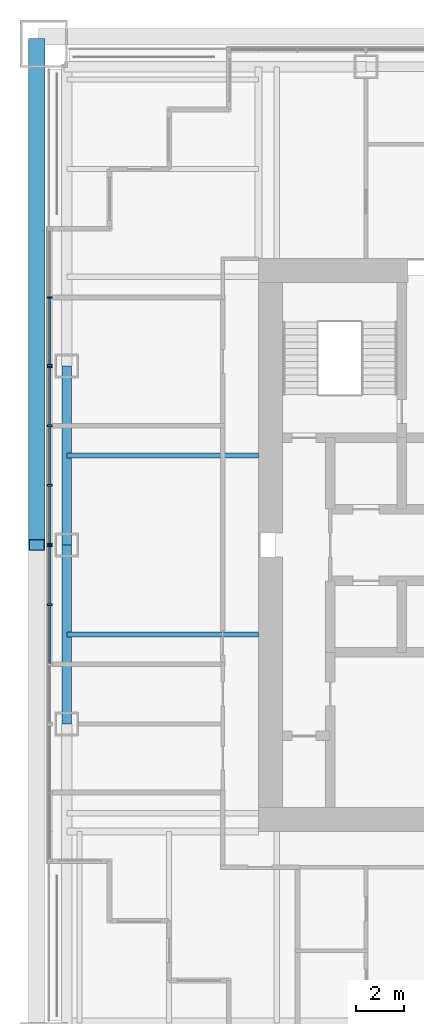
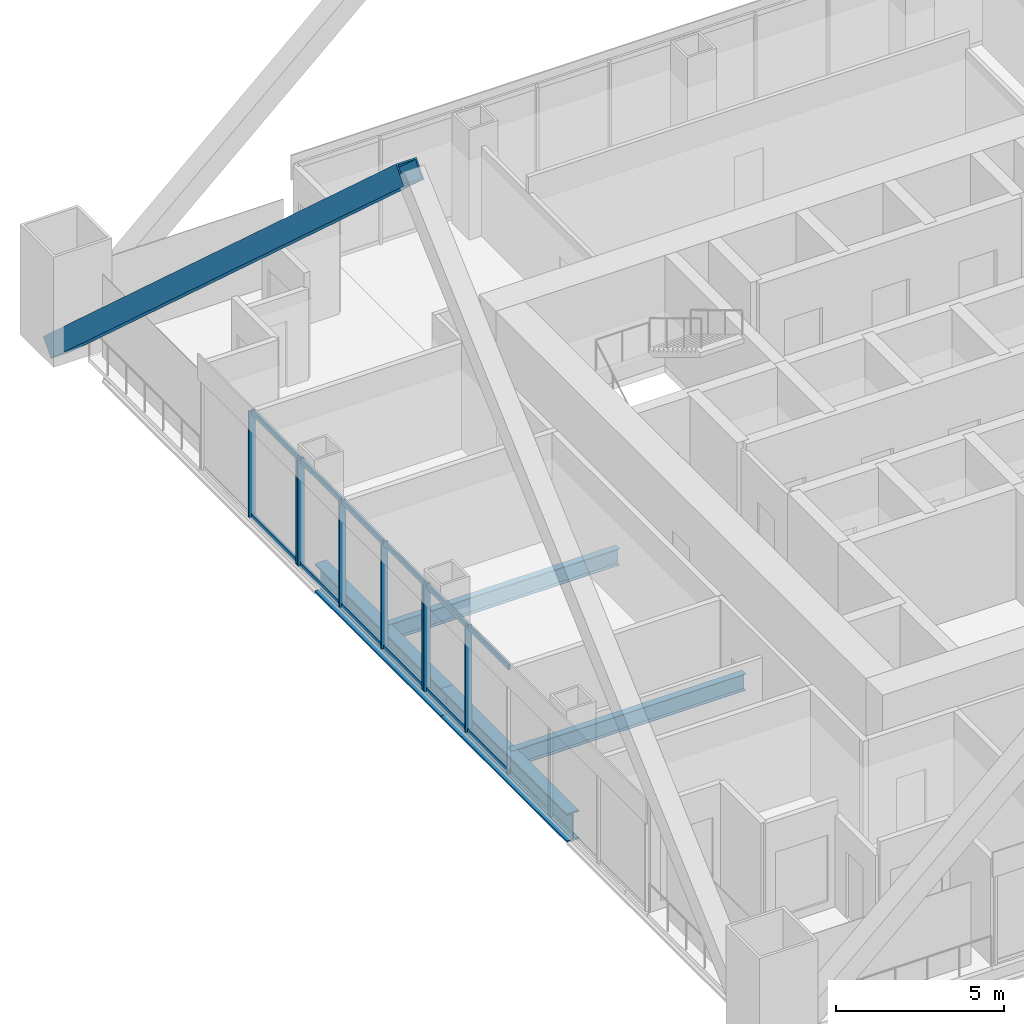
# One storey, part 4 of 13: 21 members, 4 beams, 3 elements without a shape of their own.
"""IFC4 building model written with IfcOpenShell, lengths in metres."""

from ifc_helpers import new_model, si_unit, direction, frame, origin, origin_2d, place, context, subcontext, project, spatial, rectangle, hollow_rectangle, i_section, extrude, material, material_profile, profile_set, type_object, element, aggregate, save


model = new_model("IFC4")

# Units and contexts
model_context = context("Model", 3, precision=1e-05, world=origin(), true_north=direction((0.0, 1.0)))
body_context = subcontext(model_context, "Body", "Model", "MODEL_VIEW")
ifc_project = project(units=[si_unit("LENGTHUNIT", "METRE"), si_unit("AREAUNIT", "SQUARE_METRE"), si_unit("VOLUMEUNIT", "CUBIC_METRE"), si_unit("PLANEANGLEUNIT", "RADIAN"), si_unit("MASSUNIT", "GRAM", prefix="KILO")], contexts=[model_context])

# Site, building, storey
site_placement = place(None, origin())
site = spatial("IfcSite", under=ifc_project, at=site_placement, CompositionType="ELEMENT")
building_placement = place(site_placement, origin())
building = spatial("IfcBuilding", under=site, at=building_placement, Name="Tarangal Relay Tower", CompositionType="ELEMENT")
storey_placement = place(building_placement, frame((0.0, 0.0, 259.89990234375)))
storey = spatial("IfcBuildingStorey", under=building, at=storey_placement, Name="L56", CompositionType="ELEMENT", Elevation=259.89990234375)

# Beams
ifc_material_1 = material(Name="Steel ASTM A992", Category="steel")
ifc_material_profile_1 = material_profile(ifc_material_1, i_section(OverallWidth=0.41162109375, OverallDepth=1.049072265625, WebThickness=0.033935546875, FlangeThickness=0.059814453125, at=origin_2d()), Name="W40X431")
ifc_profile_set_1 = profile_set([ifc_material_profile_1], Name="Steel ASTM A992")
beam_type_1 = type_object("IfcBeamType", Name="Edge girder W40X431", PredefinedType="SPANDREL", material=ifc_profile_set_1)
for number, where, z_axis, x_axis, name in (
    (1, (-20.0400390625, -7.5, -0.67431640625), (0.0, 1.0, 0.0), (-1.0, 0.0, 0.0), "Edge girder EG1 W L56"),
    (2, (-20.0400390625, 0.0, -0.67431640625), (0.0, 1.0, 0.0), (-1.0, 0.0, 0.0), "Edge girder EG1 W L56"),
):
    element("IfcBeam", number, at=place(storey_placement, frame(where, z_axis=z_axis, x_axis=x_axis)), inside=storey, type_object=beam_type_1, Name=name, PredefinedType="SPANDREL", context=body_context, shape_type="SweptSolid", body=[
        extrude(i_section(OverallWidth=0.41162109375, OverallDepth=1.049072265625, WebThickness=0.033935546875, FlangeThickness=0.059814453125, at=origin_2d()), origin(), (0.0, 0.0, 1.0), 7.5),
    ])
ifc_material_profile_2 = material_profile(ifc_material_1, i_section(OverallWidth=0.228271484375, OverallDepth=0.607177734375, WebThickness=0.01123046875, FlangeThickness=0.017333984375, at=origin_2d()), Name="W24X76")
ifc_profile_set_2 = profile_set([ifc_material_profile_2], Name="Steel ASTM A992")
beam_type_2 = type_object("IfcBeamType", Name="Floor beam W24X76", PredefinedType="BEAM", material=ifc_profile_set_2)
for number, where, z_axis, x_axis, name in (
    (3, (-12.0, -3.75, -0.453369140625), (-1.0, 0.0, 0.0), (0.0, -1.0, 0.0), "Floor beam RB5 W L56"),
    (4, (-12.0, 3.75, -0.453369140625), (-1.0, 0.0, 0.0), (0.0, -1.0, 0.0), "Floor beam RB5 W L56"),
):
    element("IfcBeam", number, at=place(storey_placement, frame(where, z_axis=z_axis, x_axis=x_axis)), inside=storey, type_object=beam_type_2, Name=name, PredefinedType="BEAM", context=body_context, shape_type="SweptSolid", body=[
        extrude(i_section(OverallWidth=0.228271484375, OverallDepth=0.607177734375, WebThickness=0.01123046875, FlangeThickness=0.017333984375, at=origin_2d()), origin(), (0.0, 0.0, 1.0), 8.0400390625),
    ])

# Member
ifc_material_2 = material(Name="Steel ASTM A572 Grade 50", Category="steel")
ifc_material_profile_3 = material_profile(ifc_material_2, hollow_rectangle(XDim=0.699951171875, YDim=0.699951171875, WallThickness=0.052001953125, at=origin_2d()), Name="BOX700X700X52")
ifc_profile_set_3 = profile_set([ifc_material_profile_3], Name="Steel ASTM A572 Grade 50")
member_type_1 = type_object("IfcMemberType", Name="Mega brace BOX700X700X52", PredefinedType="BRACE", material=ifc_profile_set_3)
member_1_placement = place(storey_placement, frame((-21.300048828125, 21.0, 0.0), z_axis=(0.0, -0.741535779124, 0.670913323969), x_axis=(1.0, 0.0, 0.0)))
element("IfcMember", 5, at=member_1_placement, inside=storey, type_object=member_type_1, Name="Mega brace MB4 W face module 1", PredefinedType="BRACE", context=body_context, shape_type="SweptSolid", body=[
    extrude(hollow_rectangle(XDim=0.699951171875, YDim=0.699951171875, WallThickness=0.052001953125, at=origin_2d()), origin(), (0.0, 0.0, 1.0), 28.319580078125),
])

# Curtain wall, members
ifc_material_3 = material(Name="Unitised curtain wall, dark glass and black aluminium", Category="aluminium")
curtain_wall_type = type_object("IfcCurtainWallType", Name="Curtain wall CW-S", PredefinedType="USERDEFINED", material=ifc_material_3)
curtain_wall_1_placement = place(storey_placement, origin())
curtain_wall_1 = element("IfcCurtainWall", 6, at=curtain_wall_1_placement, inside=storey, type_object=curtain_wall_type, Name="Curtain wall CW-S W facade L56", ObjectType="UNITISED CURTAIN WALL", PredefinedType="USERDEFINED")
ifc_material_4 = material(Name="Black anodised aluminium mullion", Category="aluminium")
ifc_material_profile_4 = material_profile(ifc_material_4, rectangle(XDim=0.219970703125, YDim=0.074951171875, at=origin_2d()), Name="CW-SM 75X220")
ifc_profile_set_4 = profile_set([ifc_material_profile_4], Name="Black anodised aluminium mullion")
member_type_2 = type_object("IfcMemberType", Name="Mullion CW-S 75 x 220", PredefinedType="MULLION", material=ifc_profile_set_4)
member_2_placement = place(storey_placement, frame((-20.75, -2.5, 0.0), z_axis=(0.0, 0.0, 1.0), x_axis=(-1.0, 0.0, 0.0)))
member_2 = element("IfcMember", 7, at=member_2_placement, type_object=member_type_2, Name="CW-S mullion 3", PredefinedType="MULLION", context=body_context, shape_type="SweptSolid", body=[
    extrude(rectangle(XDim=0.219970703125, YDim=0.074951171875, at=origin_2d()), origin(), (0.0, 0.0, 1.0), 3.85009765625),
])
member_3_placement = place(storey_placement, frame((-20.75, -0.03759765625, 0.0), z_axis=(0.0, 0.0, 1.0), x_axis=(-1.0, 0.0, 0.0)))
member_3 = element("IfcMember", 8, at=member_3_placement, type_object=member_type_2, Name="CW-S mullion 4", PredefinedType="MULLION", context=body_context, shape_type="SweptSolid", body=[
    extrude(rectangle(XDim=0.219970703125, YDim=0.074951171875, at=origin_2d()), origin(), (0.0, 0.0, 1.0), 3.85009765625),
])

curtain_wall_2_placement = place(storey_placement, origin())
curtain_wall_2 = element("IfcCurtainWall", 9, at=curtain_wall_2_placement, inside=storey, type_object=curtain_wall_type, Name="Curtain wall CW-S W facade L56", ObjectType="UNITISED CURTAIN WALL", PredefinedType="USERDEFINED")
member_4_placement = place(storey_placement, frame((-20.75, 0.03759765625, 0.0), z_axis=(0.0, 0.0, 1.0), x_axis=(-1.0, 0.0, 0.0)))
member_4 = element("IfcMember", 10, at=member_4_placement, type_object=member_type_2, Name="CW-S mullion 1", PredefinedType="MULLION", context=body_context, shape_type="SweptSolid", body=[
    extrude(rectangle(XDim=0.219970703125, YDim=0.074951171875, at=origin_2d()), origin(), (0.0, 0.0, 1.0), 3.85009765625),
])
member_5_placement = place(storey_placement, frame((-20.75, 2.5, 0.0), z_axis=(0.0, 0.0, 1.0), x_axis=(-1.0, 0.0, 0.0)))
member_5 = element("IfcMember", 11, at=member_5_placement, type_object=member_type_2, Name="CW-S mullion 2", PredefinedType="MULLION", context=body_context, shape_type="SweptSolid", body=[
    extrude(rectangle(XDim=0.219970703125, YDim=0.074951171875, at=origin_2d()), origin(), (0.0, 0.0, 1.0), 3.85009765625),
])
member_6_placement = place(storey_placement, frame((-20.75, 5.0, 0.0), z_axis=(0.0, 0.0, 1.0), x_axis=(-1.0, 0.0, 0.0)))
member_6 = element("IfcMember", 12, at=member_6_placement, type_object=member_type_2, Name="CW-S mullion 3", PredefinedType="MULLION", context=body_context, shape_type="SweptSolid", body=[
    extrude(rectangle(XDim=0.219970703125, YDim=0.074951171875, at=origin_2d()), origin(), (0.0, 0.0, 1.0), 3.85009765625),
])
member_7_placement = place(storey_placement, frame((-20.75, 7.46240234375, 0.0), z_axis=(0.0, 0.0, 1.0), x_axis=(-1.0, 0.0, 0.0)))
member_7 = element("IfcMember", 13, at=member_7_placement, type_object=member_type_2, Name="CW-S mullion 4", PredefinedType="MULLION", context=body_context, shape_type="SweptSolid", body=[
    extrude(rectangle(XDim=0.219970703125, YDim=0.074951171875, at=origin_2d()), origin(), (0.0, 0.0, 1.0), 3.85009765625),
])

curtain_wall_3_placement = place(storey_placement, origin())
curtain_wall_3 = element("IfcCurtainWall", 14, at=curtain_wall_3_placement, inside=storey, type_object=curtain_wall_type, Name="Curtain wall CW-S W facade L56", ObjectType="UNITISED CURTAIN WALL", PredefinedType="USERDEFINED")
member_8_placement = place(storey_placement, frame((-20.75, 7.53759765625, 0.0), z_axis=(0.0, 0.0, 1.0), x_axis=(-1.0, 0.0, 0.0)))
member_8 = element("IfcMember", 15, at=member_8_placement, type_object=member_type_2, Name="CW-S mullion 1", PredefinedType="MULLION", context=body_context, shape_type="SweptSolid", body=[
    extrude(rectangle(XDim=0.219970703125, YDim=0.074951171875, at=origin_2d()), origin(), (0.0, 0.0, 1.0), 3.85009765625),
])
member_9_placement = place(storey_placement, frame((-20.75, 10.375, 0.0), z_axis=(0.0, 0.0, 1.0), x_axis=(-1.0, 0.0, 0.0)))
member_9 = element("IfcMember", 16, at=member_9_placement, type_object=member_type_2, Name="CW-S mullion 2", PredefinedType="MULLION", context=body_context, shape_type="SweptSolid", body=[
    extrude(rectangle(XDim=0.219970703125, YDim=0.074951171875, at=origin_2d()), origin(), (0.0, 0.0, 1.0), 3.85009765625),
])

# Member
ifc_material_5 = material(Name="Black anodised aluminium transom", Category="aluminium")
ifc_material_profile_5 = material_profile(ifc_material_5, rectangle(XDim=0.074951171875, YDim=0.179931640625, at=origin_2d()), Name="CW-ST 75X180")
ifc_profile_set_5 = profile_set([ifc_material_profile_5], Name="Black anodised aluminium transom")
member_type_3 = type_object("IfcMemberType", Name="Transom CW-S 75 x 180", PredefinedType="USERDEFINED", material=ifc_profile_set_5)
member_10_placement = place(storey_placement, frame((-20.75, -4.96240234375, 0.03759765625), z_axis=(0.0, 1.0, 0.0), x_axis=(-1.0, 0.0, 0.0)))
member_10 = element("IfcMember", 17, at=member_10_placement, type_object=member_type_3, Name="CW-S transom 2.1", ObjectType="TRANSOM", PredefinedType="USERDEFINED", context=body_context, shape_type="SweptSolid", body=[
    extrude(rectangle(XDim=0.074951171875, YDim=0.179931640625, at=origin_2d()), origin(), (0.0, 0.0, 1.0), 2.4248046875),
])

member_11_placement = place(storey_placement, frame((-20.75, -4.96240234375, 3.8125), z_axis=(0.0, 1.0, 0.0), x_axis=(-1.0, 0.0, 0.0)))
member_11 = element("IfcMember", 18, at=member_11_placement, type_object=member_type_3, Name="CW-S transom 2.2", ObjectType="TRANSOM", PredefinedType="USERDEFINED", context=body_context, shape_type="SweptSolid", body=[
    extrude(rectangle(XDim=0.074951171875, YDim=0.179931640625, at=origin_2d()), origin(), (0.0, 0.0, 1.0), 2.4248046875),
])

member_12_placement = place(storey_placement, frame((-20.75, -2.46240234375, 0.03759765625), z_axis=(0.0, 1.0, 0.0), x_axis=(-1.0, 0.0, 0.0)))
member_12 = element("IfcMember", 19, at=member_12_placement, type_object=member_type_3, Name="CW-S transom 3.1", ObjectType="TRANSOM", PredefinedType="USERDEFINED", context=body_context, shape_type="SweptSolid", body=[
    extrude(rectangle(XDim=0.074951171875, YDim=0.179931640625, at=origin_2d()), origin(), (0.0, 0.0, 1.0), 2.387451171875),
])

member_13_placement = place(storey_placement, frame((-20.75, -2.46240234375, 3.8125), z_axis=(0.0, 1.0, 0.0), x_axis=(-1.0, 0.0, 0.0)))
member_13 = element("IfcMember", 20, at=member_13_placement, type_object=member_type_3, Name="CW-S transom 3.2", ObjectType="TRANSOM", PredefinedType="USERDEFINED", context=body_context, shape_type="SweptSolid", body=[
    extrude(rectangle(XDim=0.074951171875, YDim=0.179931640625, at=origin_2d()), origin(), (0.0, 0.0, 1.0), 2.387451171875),
])

aggregate(curtain_wall_1, [member_2, member_3, member_10, member_11, member_12, member_13])

member_14_placement = place(storey_placement, frame((-20.75, 0.074951171875, 0.03759765625), z_axis=(0.0, 1.0, 0.0), x_axis=(-1.0, 0.0, 0.0)))
member_14 = element("IfcMember", 21, at=member_14_placement, type_object=member_type_3, Name="CW-S transom 1.1", ObjectType="TRANSOM", PredefinedType="USERDEFINED", context=body_context, shape_type="SweptSolid", body=[
    extrude(rectangle(XDim=0.074951171875, YDim=0.179931640625, at=origin_2d()), origin(), (0.0, 0.0, 1.0), 2.387451171875),
])

member_15_placement = place(storey_placement, frame((-20.75, 0.074951171875, 3.8125), z_axis=(0.0, 1.0, 0.0), x_axis=(-1.0, 0.0, 0.0)))
member_15 = element("IfcMember", 22, at=member_15_placement, type_object=member_type_3, Name="CW-S transom 1.2", ObjectType="TRANSOM", PredefinedType="USERDEFINED", context=body_context, shape_type="SweptSolid", body=[
    extrude(rectangle(XDim=0.074951171875, YDim=0.179931640625, at=origin_2d()), origin(), (0.0, 0.0, 1.0), 2.387451171875),
])

member_16_placement = place(storey_placement, frame((-20.75, 2.53759765625, 0.03759765625), z_axis=(0.0, 1.0, 0.0), x_axis=(-1.0, 0.0, 0.0)))
member_16 = element("IfcMember", 23, at=member_16_placement, type_object=member_type_3, Name="CW-S transom 2.1", ObjectType="TRANSOM", PredefinedType="USERDEFINED", context=body_context, shape_type="SweptSolid", body=[
    extrude(rectangle(XDim=0.074951171875, YDim=0.179931640625, at=origin_2d()), origin(), (0.0, 0.0, 1.0), 2.4248046875),
])

member_17_placement = place(storey_placement, frame((-20.75, 2.53759765625, 3.8125), z_axis=(0.0, 1.0, 0.0), x_axis=(-1.0, 0.0, 0.0)))
member_17 = element("IfcMember", 24, at=member_17_placement, type_object=member_type_3, Name="CW-S transom 2.2", ObjectType="TRANSOM", PredefinedType="USERDEFINED", context=body_context, shape_type="SweptSolid", body=[
    extrude(rectangle(XDim=0.074951171875, YDim=0.179931640625, at=origin_2d()), origin(), (0.0, 0.0, 1.0), 2.4248046875),
])

member_18_placement = place(storey_placement, frame((-20.75, 5.03759765625, 0.03759765625), z_axis=(0.0, 1.0, 0.0), x_axis=(-1.0, 0.0, 0.0)))
member_18 = element("IfcMember", 25, at=member_18_placement, type_object=member_type_3, Name="CW-S transom 3.1", ObjectType="TRANSOM", PredefinedType="USERDEFINED", context=body_context, shape_type="SweptSolid", body=[
    extrude(rectangle(XDim=0.074951171875, YDim=0.179931640625, at=origin_2d()), origin(), (0.0, 0.0, 1.0), 2.387451171875),
])

member_19_placement = place(storey_placement, frame((-20.75, 5.03759765625, 3.8125), z_axis=(0.0, 1.0, 0.0), x_axis=(-1.0, 0.0, 0.0)))
member_19 = element("IfcMember", 26, at=member_19_placement, type_object=member_type_3, Name="CW-S transom 3.2", ObjectType="TRANSOM", PredefinedType="USERDEFINED", context=body_context, shape_type="SweptSolid", body=[
    extrude(rectangle(XDim=0.074951171875, YDim=0.179931640625, at=origin_2d()), origin(), (0.0, 0.0, 1.0), 2.387451171875),
])

aggregate(curtain_wall_2, [member_4, member_5, member_6, member_7, member_14, member_15, member_16, member_17, member_18, member_19])

member_20_placement = place(storey_placement, frame((-20.75, 7.574951171875, 0.03759765625), z_axis=(0.0, 1.0, 0.0), x_axis=(-1.0, 0.0, 0.0)))
member_20 = element("IfcMember", 27, at=member_20_placement, type_object=member_type_3, Name="CW-S transom 1.1", ObjectType="TRANSOM", PredefinedType="USERDEFINED", context=body_context, shape_type="SweptSolid", body=[
    extrude(rectangle(XDim=0.074951171875, YDim=0.179931640625, at=origin_2d()), origin(), (0.0, 0.0, 1.0), 2.762451171875),
])

member_21_placement = place(storey_placement, frame((-20.75, 7.574951171875, 3.8125), z_axis=(0.0, 1.0, 0.0), x_axis=(-1.0, 0.0, 0.0)))
member_21 = element("IfcMember", 28, at=member_21_placement, type_object=member_type_3, Name="CW-S transom 1.2", ObjectType="TRANSOM", PredefinedType="USERDEFINED", context=body_context, shape_type="SweptSolid", body=[
    extrude(rectangle(XDim=0.074951171875, YDim=0.179931640625, at=origin_2d()), origin(), (0.0, 0.0, 1.0), 2.762451171875),
])

aggregate(curtain_wall_3, [member_8, member_9, member_20, member_21])

save(model, "model.ifc")
